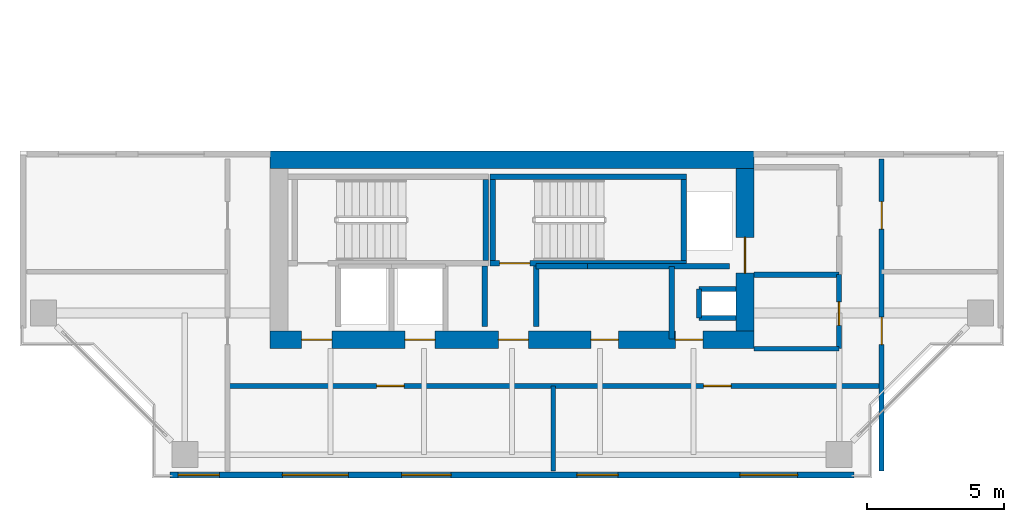
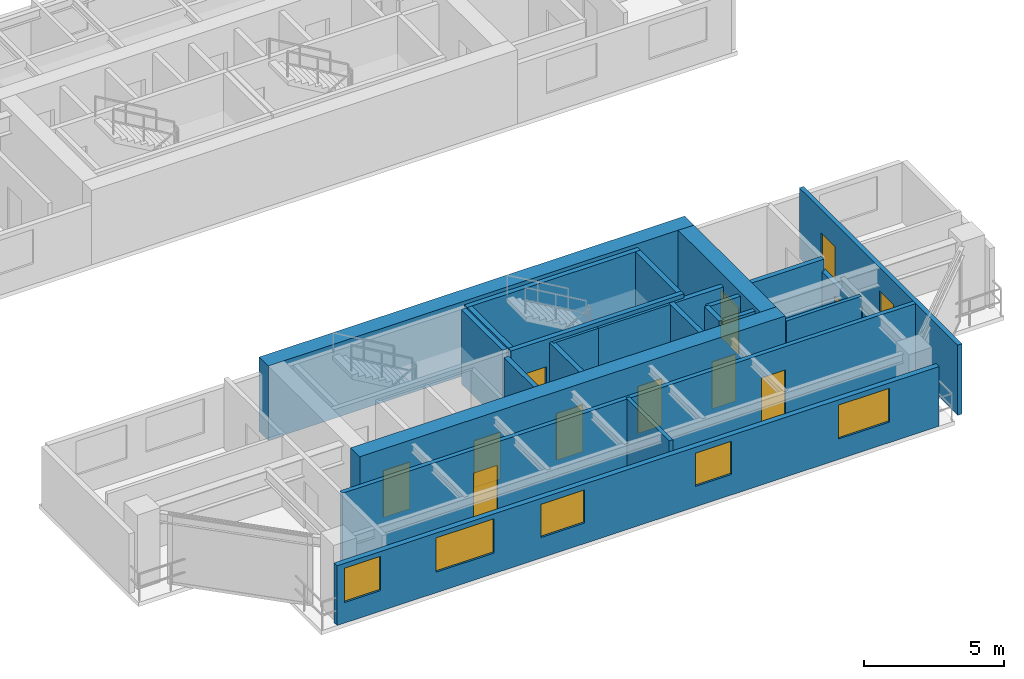
# One storey, part 7 of 12: 23 walls, 12 doors, 5 windows, 17 openings.
"""IFC4 building model written with IfcOpenShell, lengths in metres."""

from ifc_helpers import new_model, si_unit, direction, frame, frame_2d, origin, place, context, subcontext, project, spatial, rectangle, extrude, source, transform, mapped, material, layer, layer_set, type_object, element, fill, save


model = new_model("IFC4")

# Units and contexts
model_context = context("Model", 3, precision=1e-05, world=origin(), true_north=direction((0.0, 1.0)))
body_context = subcontext(model_context, "Body", "Model", "MODEL_VIEW")
ifc_project = project(units=[si_unit("LENGTHUNIT", "METRE"), si_unit("AREAUNIT", "SQUARE_METRE"), si_unit("VOLUMEUNIT", "CUBIC_METRE"), si_unit("PLANEANGLEUNIT", "RADIAN"), si_unit("MASSUNIT", "GRAM", prefix="KILO"), si_unit("THERMODYNAMICTEMPERATUREUNIT", "KELVIN"), si_unit("POWERUNIT", "WATT")], contexts=[model_context])

# Site, building, storey
site_placement = place(None, origin())
site = spatial("IfcSite", under=ifc_project, at=site_placement, CompositionType="ELEMENT")
building_placement = place(site_placement, origin())
building = spatial("IfcBuilding", under=site, at=building_placement, Name="Qiaomeng Ring Towers", CompositionType="ELEMENT")
storey_placement = place(building_placement, frame((0.0, 0.0, 166.5)))
storey = spatial("IfcBuildingStorey", under=building, at=storey_placement, Name="L48", CompositionType="ELEMENT", Elevation=166.5)

# Wall, openings, windows
ifc_material_1 = material(Name="Precast concrete C40", Category="concrete")
ifc_layer_1 = layer(ifc_material_1, 0.219970703125, Name="Precast concrete C40")
ifc_layer_set_1 = layer_set([ifc_layer_1], Name="Precast concrete C40")
wall_type_1 = type_object("IfcWallType", Name="ARC-WL-EW2", PredefinedType="STANDARD", material=ifc_layer_set_1)
wall_1_placement = place(storey_placement, frame((6.550048828125, 5.2099609375, 0.0), z_axis=(0.0, 0.0, 1.0), x_axis=(1.0, 0.0, 0.0)))
wall_1 = element("IfcWall", 1, at=wall_1_placement, inside=storey, type_object=wall_type_1, Name="L48 Tower 1 S Exterior Wall", PredefinedType="STANDARD", context=body_context, shape_type="SweptSolid", body=[
    extrude(rectangle(XDim=24.89990234375, YDim=0.219970703125, at=frame_2d((12.449951171875, 0.0))), origin(), (0.0, 0.0, 1.0), 2.610107421875),
])
opening_1_placement = place(wall_1_placement, frame((0.300048828125, 0.0, 0.89990234375)))
opening_1 = element("IfcOpeningElement", 2, at=opening_1_placement, cuts=wall_1, Name="Opening WN2", PredefinedType="OPENING", context=body_context, shape_type="SweptSolid", body=[
    extrude(rectangle(XDim=1.5, YDim=1.5, at=frame_2d((0.75, 0.75))), frame((0.0, 0.119873046875, 0.0), z_axis=(0.0, -1.0, 0.0), x_axis=(1.0, 0.0, 0.0)), (0.0, 0.0, 1.0), 0.239990234375),
])
opening_2_placement = place(wall_1_placement, frame((8.43798828125, 0.0, 0.89990234375)))
opening_2 = element("IfcOpeningElement", 3, at=opening_2_placement, cuts=wall_1, Name="Opening WN1", PredefinedType="OPENING", context=body_context, shape_type="SweptSolid", body=[
    extrude(rectangle(XDim=1.800048828125, YDim=1.449951171875, at=frame_2d((0.89990234375, 0.72509765625))), frame((0.0, 0.119873046875, 0.0), z_axis=(0.0, -1.0, 0.0), x_axis=(1.0, 0.0, 0.0)), (0.0, 0.0, 1.0), 0.239990234375),
])
opening_3_placement = place(wall_1_placement, frame((14.81298828125, 0.0, 0.89990234375)))
opening_3 = element("IfcOpeningElement", 4, at=opening_3_placement, cuts=wall_1, Name="Opening WN2", PredefinedType="OPENING", context=body_context, shape_type="SweptSolid", body=[
    extrude(rectangle(XDim=1.5, YDim=1.449951171875, at=frame_2d((0.75, 0.72509765625))), frame((0.0, 0.119873046875, 0.0), z_axis=(0.0, -1.0, 0.0), x_axis=(1.0, 0.0, 0.0)), (0.0, 0.0, 1.0), 0.239990234375),
])
opening_4_placement = place(wall_1_placement, frame((20.738037109375, 0.0, 0.89990234375)))
opening_4 = element("IfcOpeningElement", 5, at=opening_4_placement, cuts=wall_1, Name="Opening WN4", PredefinedType="OPENING", context=body_context, shape_type="SweptSolid", body=[
    extrude(rectangle(XDim=2.10009765625, YDim=1.47998046875, at=frame_2d((1.050048828125, 0.739990234375))), frame((0.0, 0.119873046875, 0.0), z_axis=(0.0, -1.0, 0.0), x_axis=(1.0, 0.0, 0.0)), (0.0, 0.0, 1.0), 0.239990234375),
])
opening_5_placement = place(wall_1_placement, frame((4.093994140625, 0.0, 0.89990234375)))
opening_5 = element("IfcOpeningElement", 6, at=opening_5_placement, cuts=wall_1, Name="Opening WN6", PredefinedType="OPENING", context=body_context, shape_type="SweptSolid", body=[
    extrude(rectangle(XDim=2.39990234375, YDim=1.5, at=frame_2d((1.199951171875, 0.75))), frame((0.0, 0.119873046875, 0.0), z_axis=(0.0, -1.0, 0.0), x_axis=(1.0, 0.0, 0.0)), (0.0, 0.0, 1.0), 0.239990234375),
])
ifc_material_2 = material(Name="Low-E dark-grey laminated double glazing", Category="glass")
window_type_1 = type_object("IfcWindowType", Name="ARC-WN-2", PartitioningType="DOUBLE_PANEL_VERTICAL", PredefinedType="WINDOW", material=ifc_material_2)
shared_shape_1 = source(origin(), body_context, "Body", "SweptSolid", [
    extrude(rectangle(XDim=1.5, YDim=1.449951171875, at=frame_2d((0.75, 0.72509765625))), frame((0.0, 0.030029296875, 0.0), z_axis=(0.0, -1.0, 0.0), x_axis=(1.0, 0.0, 0.0)), (0.0, 0.0, 1.0), 0.06005859375),
])
window_1_placement = place(opening_3_placement, origin())
window_1 = element("IfcWindow", 7, at=window_1_placement, inside=storey, type_object=window_type_1, Name="L48 Exterior Window WN2", OverallHeight=1.449951171875, OverallWidth=1.5, PartitioningType="DOUBLE_PANEL_VERTICAL", PredefinedType="WINDOW", context=body_context, shape_type="MappedRepresentation", body=[
    mapped(shared_shape_1, transform((0.0, 0.0, 0.0), x_axis=(1.0, 0.0, 0.0), y_axis=(0.0, 1.0, 0.0), z_axis=(0.0, 0.0, 1.0), scale=1.0)),
])
fill(opening_3, window_1)
window_type_2 = type_object("IfcWindowType", Name="ARC-WN-4", PartitioningType="TRIPLE_PANEL_VERTICAL", PredefinedType="WINDOW", material=ifc_material_2)
shared_shape_2 = source(origin(), body_context, "Body", "SweptSolid", [
    extrude(rectangle(XDim=2.10009765625, YDim=1.47998046875, at=frame_2d((1.050048828125, 0.739990234375))), frame((0.0, 0.030029296875, 0.0), z_axis=(0.0, -1.0, 0.0), x_axis=(1.0, 0.0, 0.0)), (0.0, 0.0, 1.0), 0.06005859375),
])
window_2_placement = place(opening_4_placement, origin())
window_2 = element("IfcWindow", 8, at=window_2_placement, inside=storey, type_object=window_type_2, Name="L48 Exterior Window WN4", OverallHeight=1.47998046875, OverallWidth=2.10009765625, PartitioningType="TRIPLE_PANEL_VERTICAL", PredefinedType="WINDOW", context=body_context, shape_type="MappedRepresentation", body=[
    mapped(shared_shape_2, transform((0.0, 0.0, 0.0), x_axis=(1.0, 0.0, 0.0), y_axis=(0.0, 1.0, 0.0), z_axis=(0.0, 0.0, 1.0), scale=1.0)),
])
fill(opening_4, window_2)
window_type_3 = type_object("IfcWindowType", Name="ARC-WN-1", PartitioningType="DOUBLE_PANEL_VERTICAL", PredefinedType="WINDOW", material=ifc_material_2)
shared_shape_3 = source(origin(), body_context, "Body", "SweptSolid", [
    extrude(rectangle(XDim=1.800048828125, YDim=1.449951171875, at=frame_2d((0.89990234375, 0.72509765625))), frame((0.0, 0.030029296875, 0.0), z_axis=(0.0, -1.0, 0.0), x_axis=(1.0, 0.0, 0.0)), (0.0, 0.0, 1.0), 0.06005859375),
])
window_3_placement = place(opening_2_placement, origin())
window_3 = element("IfcWindow", 9, at=window_3_placement, inside=storey, type_object=window_type_3, Name="L48 Exterior Window WN1", OverallHeight=1.449951171875, OverallWidth=1.800048828125, PartitioningType="DOUBLE_PANEL_VERTICAL", PredefinedType="WINDOW", context=body_context, shape_type="MappedRepresentation", body=[
    mapped(shared_shape_3, transform((0.0, 0.0, 0.0), x_axis=(1.0, 0.0, 0.0), y_axis=(0.0, 1.0, 0.0), z_axis=(0.0, 0.0, 1.0), scale=1.0)),
])
fill(opening_2, window_3)
shared_shape_4 = source(origin(), body_context, "Body", "SweptSolid", [
    extrude(rectangle(XDim=1.5, YDim=1.5, at=frame_2d((0.75, 0.75))), frame((0.0, 0.030029296875, 0.0), z_axis=(0.0, -1.0, 0.0), x_axis=(1.0, 0.0, 0.0)), (0.0, 0.0, 1.0), 0.06005859375),
])
window_4_placement = place(opening_1_placement, origin())
window_4 = element("IfcWindow", 10, at=window_4_placement, inside=storey, type_object=window_type_1, Name="L48 Exterior Window WN6", OverallHeight=1.5, OverallWidth=1.5, PartitioningType="TRIPLE_PANEL_VERTICAL", PredefinedType="WINDOW", context=body_context, shape_type="MappedRepresentation", body=[
    mapped(shared_shape_4, transform((0.0, 0.0, 0.0), x_axis=(1.0, 0.0, 0.0), y_axis=(0.0, 1.0, 0.0), z_axis=(0.0, 0.0, 1.0), scale=1.0)),
])
fill(opening_1, window_4)
window_type_4 = type_object("IfcWindowType", Name="ARC-WN-6", PartitioningType="TRIPLE_PANEL_VERTICAL", PredefinedType="WINDOW", material=ifc_material_2)
shared_shape_5 = source(origin(), body_context, "Body", "SweptSolid", [
    extrude(rectangle(XDim=2.39990234375, YDim=1.5, at=frame_2d((1.199951171875, 0.75))), frame((0.0, 0.030029296875, 0.0), z_axis=(0.0, -1.0, 0.0), x_axis=(1.0, 0.0, 0.0)), (0.0, 0.0, 1.0), 0.06005859375),
])
window_5_placement = place(opening_5_placement, origin())
window_5 = element("IfcWindow", 11, at=window_5_placement, inside=storey, type_object=window_type_4, Name="L48 Exterior Window WN6", OverallHeight=1.5, OverallWidth=2.39990234375, PartitioningType="TRIPLE_PANEL_VERTICAL", PredefinedType="WINDOW", context=body_context, shape_type="MappedRepresentation", body=[
    mapped(shared_shape_5, transform((0.0, 0.0, 0.0), x_axis=(1.0, 0.0, 0.0), y_axis=(0.0, 1.0, 0.0), z_axis=(0.0, 0.0, 1.0), scale=1.0)),
])
fill(opening_5, window_5)

# Walls
ifc_material_3 = material(Name="Autoclaved aerated concrete block", Category="concrete")
ifc_layer_2 = layer(ifc_material_3, 0.199951171875, Name="Autoclaved aerated concrete block")
ifc_layer_set_2 = layer_set([ifc_layer_2], Name="Autoclaved aerated concrete block")
wall_type_2 = type_object("IfcWallType", Name="ARC-WL-PW1", PredefinedType="PARTITIONING", material=ifc_layer_set_2)
wall_2_placement = place(storey_placement, frame((27.800048828125, 12.5, 0.0), z_axis=(0.0, 0.0, 1.0), x_axis=(1.0, 0.0, 0.0)))
element("IfcWall", 12, at=wall_2_placement, inside=storey, type_object=wall_type_2, Name="L48 Interior Wall PW1", PredefinedType="PARTITIONING", context=body_context, shape_type="SweptSolid", body=[
    extrude(rectangle(XDim=3.099853515625, YDim=0.199951171875, at=frame_2d((1.5498046875, 0.0))), origin(), (0.0, 0.0, 1.0), 3.070068359375),
])
for number, where, z_axis, x_axis, name in (
    (13, (18.0, 10.60009765625, 0.0), (0.0, 0.0, 1.0), (0.0, 1.0, 0.0), "L48 Interior Wall PW1"),
    (14, (19.8798828125, 10.60009765625, 0.0), (0.0, 0.0, 1.0), (0.0, 1.0, 0.0), "L48 Interior Wall PW1"),
):
    element("IfcWall", number, at=place(storey_placement, frame(where, z_axis=z_axis, x_axis=x_axis)), inside=storey, type_object=wall_type_2, Name=name, PredefinedType="PARTITIONING", context=body_context, shape_type="SweptSolid", body=[
        extrude(rectangle(XDim=2.2099609375, YDim=0.199951171875, at=frame_2d((1.10498046875, 0.0))), origin(), (0.0, 0.0, 1.0), 3.070068359375),
    ])
wall_3_placement = place(storey_placement, frame((24.820068359375, 10.14990234375, 0.0), z_axis=(0.0, 0.0, 1.0), x_axis=(0.0, 1.0, 0.0)))
element("IfcWall", 15, at=wall_3_placement, inside=storey, type_object=wall_type_2, Name="L48 Interior Wall PW1", PredefinedType="PARTITIONING", context=body_context, shape_type="SweptSolid", body=[
    extrude(rectangle(XDim=2.650146484375, YDim=0.199951171875, at=frame_2d((1.3251953125, 0.0))), origin(), (0.0, 0.0, 1.0), 3.070068359375),
])
wall_4_placement = place(storey_placement, frame((19.8798828125, 12.800048828125, 0.0), z_axis=(0.0, 0.0, 1.0), x_axis=(1.0, 0.0, 0.0)))
element("IfcWall", 16, at=wall_4_placement, inside=storey, type_object=wall_type_2, Name="L48 Interior Wall PW1", PredefinedType="PARTITIONING", context=body_context, shape_type="SweptSolid", body=[
    extrude(rectangle(XDim=1.8701171875, YDim=0.199951171875, at=frame_2d((0.93505859375, 0.0))), origin(), (0.0, 0.0, 1.0), 3.070068359375),
])
wall_5_placement = place(storey_placement, frame((21.75, 12.800048828125, 0.0), z_axis=(0.0, 0.0, 1.0), x_axis=(1.0, 0.0, 0.0)))
element("IfcWall", 17, at=wall_5_placement, inside=storey, type_object=wall_type_2, Name="L48 Interior Wall PW1", PredefinedType="PARTITIONING", context=body_context, shape_type="SweptSolid", body=[
    extrude(rectangle(XDim=5.169921875, YDim=0.199951171875, at=frame_2d((2.5849609375, 0.0))), origin(), (0.0, 0.0, 1.0), 3.070068359375),
])

# Wall, opening, door
ifc_layer_3 = layer(ifc_material_3, 0.179931640625, Name="Autoclaved aerated concrete block")
ifc_layer_set_3 = layer_set([ifc_layer_3], Name="Autoclaved aerated concrete block")
wall_type_3 = type_object("IfcWallType", Name="ARC-WL-PW2", PredefinedType="PARTITIONING", material=ifc_layer_set_3)
wall_6_placement = place(storey_placement, frame((30.89990234375, 9.800048828125, 0.0), z_axis=(0.0, 0.0, 1.0), x_axis=(0.0, 1.0, 0.0)))
wall_6 = element("IfcWall", 18, at=wall_6_placement, inside=storey, type_object=wall_type_3, Name="L48 Interior Wall PW2", PredefinedType="PARTITIONING", context=body_context, shape_type="SweptSolid", body=[
    extrude(rectangle(XDim=2.699951171875, YDim=0.179931640625, at=frame_2d((1.35009765625, 0.0))), origin(), (0.0, 0.0, 1.0), 2.56494140625),
])
opening_6_placement = place(wall_6_placement, frame((0.85009765625, 0.0, 0.0)))
opening_6 = element("IfcOpeningElement", 19, at=opening_6_placement, cuts=wall_6, Name="Opening ID2", PredefinedType="OPENING", context=body_context, shape_type="SweptSolid", body=[
    extrude(rectangle(XDim=0.85009765625, YDim=2.050048828125, at=frame_2d((0.425048828125, 1.02490234375))), frame((0.0, 0.099853515625, 0.0), z_axis=(0.0, -1.0, 0.0), x_axis=(1.0, 0.0, 0.0)), (0.0, 0.0, 1.0), 0.199951171875),
])
ifc_material_4 = material(Name="Moisture-resistant engineered timber", Category="wood")
door_type_1 = type_object("IfcDoorType", Name="ARC-DR-ID2", OperationType="NOTDEFINED", PredefinedType="DOOR", material=ifc_material_4)
shared_shape_6 = source(origin(), body_context, "Body", "SweptSolid", [
    extrude(rectangle(XDim=0.85009765625, YDim=2.050048828125, at=frame_2d((0.425048828125, 1.02490234375))), frame((0.0, 0.02490234375, 0.0), z_axis=(0.0, -1.0, 0.0), x_axis=(1.0, 0.0, 0.0)), (0.0, 0.0, 1.0), 0.050048828125),
])
door_1_placement = place(opening_6_placement, origin())
door_1 = element("IfcDoor", 20, at=door_1_placement, inside=storey, type_object=door_type_1, Name="L48 Door ID2", OperationType="SINGLE_SWING_LEFT", OverallHeight=2.050048828125, OverallWidth=0.85009765625, PredefinedType="DOOR", context=body_context, shape_type="MappedRepresentation", body=[
    mapped(shared_shape_6, transform((0.0, 0.0, 0.0), x_axis=(1.0, 0.0, 0.0), y_axis=(0.0, 1.0, 0.0), z_axis=(0.0, 0.0, 1.0), scale=1.0)),
])
fill(opening_6, door_1)

# Wall, openings, doors
wall_7_placement = place(storey_placement, frame((32.449951171875, 5.35009765625, 0.0), z_axis=(0.0, 0.0, 1.0), x_axis=(0.0, 1.0, 0.0)))
wall_7 = element("IfcWall", 21, at=wall_7_placement, inside=storey, type_object=wall_type_3, Name="L48 Interior Wall PW2", PredefinedType="PARTITIONING", context=body_context, shape_type="SweptSolid", body=[
    extrude(rectangle(XDim=11.349853515625, YDim=0.179931640625, at=frame_2d((5.6748046875, 0.0))), origin(), (0.0, 0.0, 1.0), 3.070068359375),
])
opening_7_placement = place(wall_7_placement, frame((4.60009765625, 0.0, 0.0)))
opening_7 = element("IfcOpeningElement", 22, at=opening_7_placement, cuts=wall_7, Name="Opening FD4", PredefinedType="OPENING", context=body_context, shape_type="SweptSolid", body=[
    extrude(rectangle(XDim=1.0, YDim=2.050048828125, at=frame_2d((0.5, 1.02490234375))), frame((0.0, 0.099853515625, 0.0), z_axis=(0.0, -1.0, 0.0), x_axis=(1.0, 0.0, 0.0)), (0.0, 0.0, 1.0), 0.199951171875),
])
opening_8_placement = place(wall_7_placement, frame((8.800048828125, 0.0, 0.0)))
opening_8 = element("IfcOpeningElement", 23, at=opening_8_placement, cuts=wall_7, Name="Opening FD4", PredefinedType="OPENING", context=body_context, shape_type="SweptSolid", body=[
    extrude(rectangle(XDim=1.0, YDim=2.050048828125, at=frame_2d((0.5, 1.02490234375))), frame((0.0, 0.099853515625, 0.0), z_axis=(0.0, -1.0, 0.0), x_axis=(1.0, 0.0, 0.0)), (0.0, 0.0, 1.0), 0.199951171875),
])
ifc_material_5 = material(Name="Engineered fire-rated oak timber", Category="wood")
door_type_2 = type_object("IfcDoorType", Name="ARC-DR-FD4", OperationType="NOTDEFINED", PredefinedType="DOOR", material=ifc_material_5)
shared_shape_7 = source(origin(), body_context, "Body", "SweptSolid", [
    extrude(rectangle(XDim=1.0, YDim=2.050048828125, at=frame_2d((0.5, 1.02490234375))), frame((0.0, 0.02490234375, 0.0), z_axis=(0.0, -1.0, 0.0), x_axis=(1.0, 0.0, 0.0)), (0.0, 0.0, 1.0), 0.050048828125),
])
door_2_placement = place(opening_7_placement, origin())
door_2 = element("IfcDoor", 24, at=door_2_placement, inside=storey, type_object=door_type_2, Name="L48 Door FD4", OperationType="SINGLE_SWING_RIGHT", OverallHeight=2.050048828125, OverallWidth=1.0, PredefinedType="DOOR", context=body_context, shape_type="MappedRepresentation", body=[
    mapped(shared_shape_7, transform((0.0, 0.0, 0.0), x_axis=(1.0, 0.0, 0.0), y_axis=(0.0, 1.0, 0.0), z_axis=(0.0, 0.0, 1.0), scale=1.0)),
])
fill(opening_7, door_2)
door_3_placement = place(opening_8_placement, origin())
door_3 = element("IfcDoor", 25, at=door_3_placement, inside=storey, type_object=door_type_2, Name="L48 Door FD4", OperationType="SINGLE_SWING_LEFT", OverallHeight=2.050048828125, OverallWidth=1.0, PredefinedType="DOOR", context=body_context, shape_type="MappedRepresentation", body=[
    mapped(shared_shape_7, transform((0.0, 0.0, 0.0), x_axis=(1.0, 0.0, 0.0), y_axis=(0.0, 1.0, 0.0), z_axis=(0.0, 0.0, 1.0), scale=1.0)),
])
fill(opening_8, door_3)

wall_8_placement = place(storey_placement, frame((8.64990234375, 8.449951171875, 0.0), z_axis=(0.0, 0.0, 1.0), x_axis=(1.0, 0.0, 0.0)))
wall_8 = element("IfcWall", 26, at=wall_8_placement, inside=storey, type_object=wall_type_3, Name="L48 Interior Wall PW2", PredefinedType="PARTITIONING", context=body_context, shape_type="SweptSolid", body=[
    extrude(rectangle(XDim=23.800048828125, YDim=0.179931640625, at=frame_2d((11.89990234375, 0.0))), origin(), (0.0, 0.0, 1.0), 3.070068359375),
])
opening_9_placement = place(wall_8_placement, frame((5.425048828125, 0.0, 0.0)))
opening_9 = element("IfcOpeningElement", 27, at=opening_9_placement, cuts=wall_8, Name="Opening FD4", PredefinedType="OPENING", context=body_context, shape_type="SweptSolid", body=[
    extrude(rectangle(XDim=1.0, YDim=2.050048828125, at=frame_2d((0.5, 1.02490234375))), frame((0.0, 0.099853515625, 0.0), z_axis=(0.0, -1.0, 0.0), x_axis=(1.0, 0.0, 0.0)), (0.0, 0.0, 1.0), 0.199951171875),
])
opening_10_placement = place(wall_8_placement, frame((17.324951171875, 0.0, 0.0)))
opening_10 = element("IfcOpeningElement", 28, at=opening_10_placement, cuts=wall_8, Name="Opening FD4", PredefinedType="OPENING", context=body_context, shape_type="SweptSolid", body=[
    extrude(rectangle(XDim=1.0, YDim=2.050048828125, at=frame_2d((0.5, 1.02490234375))), frame((0.0, 0.099853515625, 0.0), z_axis=(0.0, -1.0, 0.0), x_axis=(1.0, 0.0, 0.0)), (0.0, 0.0, 1.0), 0.199951171875),
])
door_4_placement = place(opening_9_placement, origin())
door_4 = element("IfcDoor", 29, at=door_4_placement, inside=storey, type_object=door_type_2, Name="L48 Door FD4", OperationType="SINGLE_SWING_RIGHT", OverallHeight=2.050048828125, OverallWidth=1.0, PredefinedType="DOOR", context=body_context, shape_type="MappedRepresentation", body=[
    mapped(shared_shape_7, transform((0.0, 0.0, 0.0), x_axis=(1.0, 0.0, 0.0), y_axis=(0.0, 1.0, 0.0), z_axis=(0.0, 0.0, 1.0), scale=1.0)),
])
fill(opening_9, door_4)
door_5_placement = place(opening_10_placement, origin())
door_5 = element("IfcDoor", 30, at=door_5_placement, inside=storey, type_object=door_type_2, Name="L48 Door FD4", OperationType="SINGLE_SWING_LEFT", OverallHeight=2.050048828125, OverallWidth=1.0, PredefinedType="DOOR", context=body_context, shape_type="MappedRepresentation", body=[
    mapped(shared_shape_7, transform((0.0, 0.0, 0.0), x_axis=(1.0, 0.0, 0.0), y_axis=(0.0, 1.0, 0.0), z_axis=(0.0, 0.0, 1.0), scale=1.0)),
])
fill(opening_10, door_5)

# Walls
ifc_material_6 = material(Name="Gypsum fireboard steel-stud partition", Category="steel")
ifc_layer_4 = layer(ifc_material_6, 0.14990234375, Name="Gypsum fireboard steel-stud partition")
ifc_layer_set_4 = layer_set([ifc_layer_4], Name="Gypsum fireboard steel-stud partition")
wall_type_4 = type_object("IfcWallType", Name="ARC-WL-PW3", PredefinedType="PARTITIONING", material=ifc_layer_set_4)
for number, where, z_axis, x_axis, name in (
    (31, (27.800048828125, 9.800048828125, 0.0), (0.0, 0.0, 1.0), (1.0, 0.0, 0.0), "L48 Interior Wall PW3"),
    (32, (20.5, 5.35009765625, 0.0), (0.0, 0.0, 1.0), (0.0, 1.0, 0.0), "L48 Interior Wall PW3"),
):
    element("IfcWall", number, at=place(storey_placement, frame(where, z_axis=z_axis, x_axis=x_axis)), inside=storey, type_object=wall_type_4, Name=name, PredefinedType="PARTITIONING", context=body_context, shape_type="SweptSolid", body=[
        extrude(rectangle(XDim=3.099853515625, YDim=0.14990234375, at=frame_2d((1.5498046875, 0.0))), origin(), (0.0, 0.0, 1.0), 3.070068359375),
    ])
ifc_material_7 = material(Name="Concrete C40", Category="concrete")
ifc_layer_5 = layer(ifc_material_7, 0.199951171875, Name="Concrete C40")
ifc_layer_set_5 = layer_set([ifc_layer_5], Name="Concrete C40")
wall_type_5 = type_object("IfcWallType", Name="STR-WL-STSHAFT", PredefinedType="SHEAR", material=ifc_layer_set_5)
wall_9_placement = place(storey_placement, frame((25.800048828125, 10.919921875, 0.0), z_axis=(0.0, 0.0, 1.0), x_axis=(0.0, 1.0, 0.0)))
element("IfcWall", 33, at=wall_9_placement, inside=storey, type_object=wall_type_5, Name="L48 Riser RSR1 West Shaft Wall S", PredefinedType="SHEAR", context=body_context, shape_type="SweptSolid", body=[
    extrude(rectangle(XDim=1.06005859375, YDim=0.179931640625, at=frame_2d((0.530029296875, 0.0))), origin(), (0.0, 0.0, 1.0), 3.070068359375),
])
for number, where, z_axis, x_axis, name in (
    (34, (25.800048828125, 11.97998046875, 0.0), (0.0, 0.0, 1.0), (1.0, 0.0, 0.0), "L48 Riser RSR1 North Shaft Wall S"),
    (35, (25.800048828125, 10.919921875, 0.0), (0.0, 0.0, 1.0), (1.0, 0.0, 0.0), "L48 Riser RSR1 South Shaft Wall S"),
):
    element("IfcWall", number, at=place(storey_placement, frame(where, z_axis=z_axis, x_axis=x_axis)), inside=storey, type_object=wall_type_5, Name=name, PredefinedType="SHEAR", context=body_context, shape_type="SweptSolid", body=[
        extrude(rectangle(XDim=1.349853515625, YDim=0.179931640625, at=frame_2d((0.6748046875, 0.0))), origin(), (0.0, 0.0, 1.0), 3.070068359375),
    ])
wall_10_placement = place(storey_placement, frame((18.050048828125, 13.010009765625, 0.0), z_axis=(0.0, 0.0, 1.0), x_axis=(0.0, 1.0, 0.0)))
element("IfcWall", 36, at=wall_10_placement, inside=storey, type_object=wall_type_5, Name="L48 Stair ST3 East Shaft Shear Wall", PredefinedType="SHEAR", context=body_context, shape_type="SweptSolid", body=[
    extrude(rectangle(XDim=2.93994140625, YDim=0.199951171875, at=frame_2d((1.469970703125, 0.0))), origin(), (0.0, 0.0, 1.0), 3.25),
])

# Wall, opening, door
wall_11_placement = place(storey_placement, frame((18.199951171875, 12.909912109375, 0.0), z_axis=(0.0, 0.0, 1.0), x_axis=(1.0, 0.0, 0.0)))
wall_11 = element("IfcWall", 37, at=wall_11_placement, inside=storey, type_object=wall_type_5, Name="L48 Stair ST4 South Shaft Shear Wall", PredefinedType="SHEAR", context=body_context, shape_type="SweptSolid", body=[
    extrude(rectangle(XDim=7.150146484375, YDim=0.199951171875, at=frame_2d((3.5751953125, 0.0))), origin(), (0.0, 0.0, 1.0), 3.25),
])
opening_11_placement = place(wall_11_placement, frame((0.35009765625, 0.0, 0.0)))
opening_11 = element("IfcOpeningElement", 38, at=opening_11_placement, cuts=wall_11, Name="Opening FD3", PredefinedType="OPENING", context=body_context, shape_type="SweptSolid", body=[
    extrude(rectangle(XDim=1.10009765625, YDim=2.050048828125, at=frame_2d((0.550048828125, 1.02490234375))), frame((0.0, 0.10986328125, 0.0), z_axis=(0.0, -1.0, 0.0), x_axis=(1.0, 0.0, 0.0)), (0.0, 0.0, 1.0), 0.219970703125),
])
ifc_material_8 = material(Name="Galvanised steel", Category="steel")
door_type_3 = type_object("IfcDoorType", Name="ARC-DR-FD3", OperationType="NOTDEFINED", PredefinedType="DOOR", material=ifc_material_8)
shared_shape_8 = source(origin(), body_context, "Body", "SweptSolid", [
    extrude(rectangle(XDim=1.10009765625, YDim=2.050048828125, at=frame_2d((0.550048828125, 1.02490234375))), frame((0.0, 0.02490234375, 0.0), z_axis=(0.0, -1.0, 0.0), x_axis=(1.0, 0.0, 0.0)), (0.0, 0.0, 1.0), 0.050048828125),
])
door_6_placement = place(opening_11_placement, frame((1.10009765625, 0.0, 0.0), z_axis=(0.0, 0.0, 1.0), x_axis=(-1.0, 0.0, 0.0)))
door_6 = element("IfcDoor", 39, at=door_6_placement, inside=storey, type_object=door_type_3, Name="L48 Stair ST4 Exit Door", OperationType="SINGLE_SWING_RIGHT", OverallHeight=2.050048828125, OverallWidth=1.10009765625, PredefinedType="DOOR", context=body_context, shape_type="MappedRepresentation", body=[
    mapped(shared_shape_8, transform((0.0, 0.0, 0.0), x_axis=(1.0, 0.0, 0.0), y_axis=(0.0, 1.0, 0.0), z_axis=(0.0, 0.0, 1.0), scale=1.0)),
])
fill(opening_11, door_6)

# Walls
wall_12_placement = place(storey_placement, frame((18.199951171875, 16.050048828125, 0.0), z_axis=(0.0, 0.0, 1.0), x_axis=(1.0, 0.0, 0.0)))
element("IfcWall", 40, at=wall_12_placement, inside=storey, type_object=wall_type_5, Name="L48 Stair ST4 North Shaft Shear Wall", PredefinedType="SHEAR", context=body_context, shape_type="SweptSolid", body=[
    extrude(rectangle(XDim=7.150146484375, YDim=0.199951171875, at=frame_2d((3.5751953125, 0.0))), origin(), (0.0, 0.0, 1.0), 3.25),
])
for number, where, z_axis, x_axis, name in (
    (41, (18.300048828125, 13.010009765625, 0.0), (0.0, 0.0, 1.0), (0.0, 1.0, 0.0), "L48 Stair ST4 West Shaft Shear Wall"),
    (42, (25.25, 13.010009765625, 0.0), (0.0, 0.0, 1.0), (0.0, 1.0, 0.0), "L48 Stair ST4 East Shaft Shear Wall"),
):
    element("IfcWall", number, at=place(storey_placement, frame(where, z_axis=z_axis, x_axis=x_axis)), inside=storey, type_object=wall_type_5, Name=name, PredefinedType="SHEAR", context=body_context, shape_type="SweptSolid", body=[
        extrude(rectangle(XDim=2.93994140625, YDim=0.199951171875, at=frame_2d((1.469970703125, 0.0))), origin(), (0.0, 0.0, 1.0), 3.25),
    ])

# Wall, openings, doors
ifc_material_9 = material(Name="Concrete C50", Category="concrete")
ifc_layer_6 = layer(ifc_material_9, 0.64990234375, Name="Concrete C50")
ifc_layer_set_6 = layer_set([ifc_layer_6], Name="Concrete C50")
wall_type_6 = type_object("IfcWallType", Name="STR-WL-SW2B", PredefinedType="SHEAR", material=ifc_layer_set_6)
wall_13_placement = place(storey_placement, frame((10.199951171875, 10.125, 0.0), z_axis=(0.0, 0.0, 1.0), x_axis=(1.0, 0.0, 0.0)))
wall_13 = element("IfcWall", 43, at=wall_13_placement, inside=storey, type_object=wall_type_6, Name="L48 T1SC south core shear wall", PredefinedType="SHEAR", context=body_context, shape_type="SweptSolid", body=[
    extrude(rectangle(XDim=17.60009765625, YDim=0.64990234375, at=frame_2d((8.800048828125, 0.0))), origin(), (0.0, 0.0, 1.0), 3.25),
])
opening_12_placement = place(wall_13_placement, frame((1.14990234375, 0.0, 0.0)))
opening_12 = element("IfcOpeningElement", 44, at=opening_12_placement, cuts=wall_13, Name="Opening FD3", PredefinedType="OPENING", context=body_context, shape_type="SweptSolid", body=[
    extrude(rectangle(XDim=1.10009765625, YDim=2.050048828125, at=frame_2d((0.550048828125, 1.02490234375))), frame((0.0, 0.3349609375, 0.0), z_axis=(0.0, -1.0, 0.0), x_axis=(1.0, 0.0, 0.0)), (0.0, 0.0, 1.0), 0.669921875),
])
opening_13_placement = place(wall_13_placement, frame((8.300048828125, 0.0, 0.0)))
opening_13 = element("IfcOpeningElement", 45, at=opening_13_placement, cuts=wall_13, Name="Opening FD3", PredefinedType="OPENING", context=body_context, shape_type="SweptSolid", body=[
    extrude(rectangle(XDim=1.10009765625, YDim=2.050048828125, at=frame_2d((0.550048828125, 1.02490234375))), frame((0.0, 0.3349609375, 0.0), z_axis=(0.0, -1.0, 0.0), x_axis=(1.0, 0.0, 0.0)), (0.0, 0.0, 1.0), 0.669921875),
])
opening_14_placement = place(wall_13_placement, frame((4.89990234375, 0.0, 0.0)))
opening_14 = element("IfcOpeningElement", 46, at=opening_14_placement, cuts=wall_13, Name="Opening LD1", PredefinedType="OPENING", context=body_context, shape_type="SweptSolid", body=[
    extrude(rectangle(XDim=1.10009765625, YDim=2.050048828125, at=frame_2d((0.550048828125, 1.02490234375))), frame((0.0, 0.3349609375, 0.0), z_axis=(0.0, -1.0, 0.0), x_axis=(1.0, 0.0, 0.0)), (0.0, 0.0, 1.0), 0.669921875),
])
opening_15_placement = place(wall_13_placement, frame((14.739990234375, 0.0, 0.0)))
opening_15 = element("IfcOpeningElement", 47, at=opening_15_placement, cuts=wall_13, Name="Opening FD1", PredefinedType="OPENING", context=body_context, shape_type="SweptSolid", body=[
    extrude(rectangle(XDim=1.0, YDim=2.050048828125, at=frame_2d((0.5, 1.02490234375))), frame((0.0, 0.3349609375, 0.0), z_axis=(0.0, -1.0, 0.0), x_axis=(1.0, 0.0, 0.0)), (0.0, 0.0, 1.0), 0.669921875),
])
opening_16_placement = place(wall_13_placement, frame((11.669921875, 0.0, 0.0)))
opening_16 = element("IfcOpeningElement", 48, at=opening_16_placement, cuts=wall_13, Name="Opening FD1", PredefinedType="OPENING", context=body_context, shape_type="SweptSolid", body=[
    extrude(rectangle(XDim=1.0, YDim=2.050048828125, at=frame_2d((0.5, 1.02490234375))), frame((0.0, 0.3349609375, 0.0), z_axis=(0.0, -1.0, 0.0), x_axis=(1.0, 0.0, 0.0)), (0.0, 0.0, 1.0), 0.669921875),
])
door_7_placement = place(opening_12_placement, origin())
door_7 = element("IfcDoor", 49, at=door_7_placement, inside=storey, type_object=door_type_3, Name="L48 Stair ST3 Lobby Door", OperationType="SINGLE_SWING_LEFT", OverallHeight=2.050048828125, OverallWidth=1.10009765625, PredefinedType="DOOR", context=body_context, shape_type="MappedRepresentation", body=[
    mapped(shared_shape_8, transform((0.0, 0.0, 0.0), x_axis=(1.0, 0.0, 0.0), y_axis=(0.0, 1.0, 0.0), z_axis=(0.0, 0.0, 1.0), scale=1.0)),
])
fill(opening_12, door_7)
door_8_placement = place(opening_13_placement, origin())
door_8 = element("IfcDoor", 50, at=door_8_placement, inside=storey, type_object=door_type_3, Name="L48 Stair ST4 Lobby Door", OperationType="SINGLE_SWING_LEFT", OverallHeight=2.050048828125, OverallWidth=1.10009765625, PredefinedType="DOOR", context=body_context, shape_type="MappedRepresentation", body=[
    mapped(shared_shape_8, transform((0.0, 0.0, 0.0), x_axis=(1.0, 0.0, 0.0), y_axis=(0.0, 1.0, 0.0), z_axis=(0.0, 0.0, 1.0), scale=1.0)),
])
fill(opening_13, door_8)
ifc_material_10 = material(Name="Stainless steel 316", Category="steel")
door_type_4 = type_object("IfcDoorType", Name="ARC-DR-LD1", OperationType="NOTDEFINED", PredefinedType="DOOR", material=ifc_material_10)
door_9_placement = place(opening_14_placement, origin())
door_9 = element("IfcDoor", 51, at=door_9_placement, inside=storey, type_object=door_type_4, Name="L48 Mid-Zone Lift LP4 Landing Door", OperationType="SLIDING_TO_RIGHT", OverallHeight=2.050048828125, OverallWidth=1.10009765625, PredefinedType="DOOR", context=body_context, shape_type="MappedRepresentation", body=[
    mapped(shared_shape_8, transform((0.0, 0.0, 0.0), x_axis=(1.0, 0.0, 0.0), y_axis=(0.0, 1.0, 0.0), z_axis=(0.0, 0.0, 1.0), scale=1.0)),
])
fill(opening_14, door_9)
door_type_5 = type_object("IfcDoorType", Name="ARC-DR-FD1", OperationType="NOTDEFINED", PredefinedType="DOOR", material=ifc_material_8)
door_10_placement = place(opening_15_placement, origin())
door_10 = element("IfcDoor", 52, at=door_10_placement, inside=storey, type_object=door_type_5, Name="L48 South Electrical Riser Door", OperationType="SINGLE_SWING_RIGHT", OverallHeight=2.050048828125, OverallWidth=1.0, PredefinedType="DOOR", context=body_context, shape_type="MappedRepresentation", body=[
    mapped(shared_shape_7, transform((0.0, 0.0, 0.0), x_axis=(1.0, 0.0, 0.0), y_axis=(0.0, 1.0, 0.0), z_axis=(0.0, 0.0, 1.0), scale=1.0)),
])
fill(opening_15, door_10)
door_11_placement = place(opening_16_placement, origin())
door_11 = element("IfcDoor", 53, at=door_11_placement, inside=storey, type_object=door_type_5, Name="L48 South Building Management Office Door", OperationType="SINGLE_SWING_LEFT", OverallHeight=2.050048828125, OverallWidth=1.0, PredefinedType="DOOR", context=body_context, shape_type="MappedRepresentation", body=[
    mapped(shared_shape_7, transform((0.0, 0.0, 0.0), x_axis=(1.0, 0.0, 0.0), y_axis=(0.0, 1.0, 0.0), z_axis=(0.0, 0.0, 1.0), scale=1.0)),
])
fill(opening_16, door_11)

# Wall
wall_14_placement = place(storey_placement, frame((10.199951171875, 16.675048828125, 0.0), z_axis=(0.0, 0.0, 1.0), x_axis=(1.0, 0.0, 0.0)))
element("IfcWall", 54, at=wall_14_placement, inside=storey, type_object=wall_type_6, Name="L48 T1SC north core shear wall", PredefinedType="SHEAR", context=body_context, shape_type="SweptSolid", body=[
    extrude(rectangle(XDim=17.60009765625, YDim=0.64990234375, at=frame_2d((8.800048828125, 0.0))), origin(), (0.0, 0.0, 1.0), 3.25),
])

# Wall, opening, door
wall_15_placement = place(storey_placement, frame((27.47509765625, 10.449951171875, 0.0), z_axis=(0.0, 0.0, 1.0), x_axis=(0.0, 1.0, 0.0)))
wall_15 = element("IfcWall", 55, at=wall_15_placement, inside=storey, type_object=wall_type_6, Name="L48 T1SC east core shear wall", PredefinedType="SHEAR", context=body_context, shape_type="SweptSolid", body=[
    extrude(rectangle(XDim=5.900146484375, YDim=0.64990234375, at=frame_2d((2.9501953125, 0.0))), origin(), (0.0, 0.0, 1.0), 3.25),
])
opening_17_placement = place(wall_15_placement, frame((2.10009765625, 0.0, 0.0)))
opening_17 = element("IfcOpeningElement", 56, at=opening_17_placement, cuts=wall_15, Name="Opening LD2", PredefinedType="OPENING", context=body_context, shape_type="SweptSolid", body=[
    extrude(rectangle(XDim=1.300048828125, YDim=2.050048828125, at=frame_2d((0.64990234375, 1.02490234375))), frame((0.0, 0.3349609375, 0.0), z_axis=(0.0, -1.0, 0.0), x_axis=(1.0, 0.0, 0.0)), (0.0, 0.0, 1.0), 0.669921875),
])
door_type_6 = type_object("IfcDoorType", Name="ARC-DR-LD2", OperationType="NOTDEFINED", PredefinedType="DOOR", material=ifc_material_10)
shared_shape_9 = source(origin(), body_context, "Body", "SweptSolid", [
    extrude(rectangle(XDim=1.300048828125, YDim=2.050048828125, at=frame_2d((0.64990234375, 1.02490234375))), frame((0.0, 0.02490234375, 0.0), z_axis=(0.0, -1.0, 0.0), x_axis=(1.0, 0.0, 0.0)), (0.0, 0.0, 1.0), 0.050048828125),
])
door_12_placement = place(opening_17_placement, origin())
door_12 = element("IfcDoor", 57, at=door_12_placement, inside=storey, type_object=door_type_6, Name="L48 Firefighting Lift FL2 Landing Door", OperationType="SLIDING_TO_RIGHT", OverallHeight=2.050048828125, OverallWidth=1.300048828125, PredefinedType="DOOR", context=body_context, shape_type="MappedRepresentation", body=[
    mapped(shared_shape_9, transform((0.0, 0.0, 0.0), x_axis=(1.0, 0.0, 0.0), y_axis=(0.0, 1.0, 0.0), z_axis=(0.0, 0.0, 1.0), scale=1.0)),
])
fill(opening_17, door_12)

save(model, "model.ifc")
